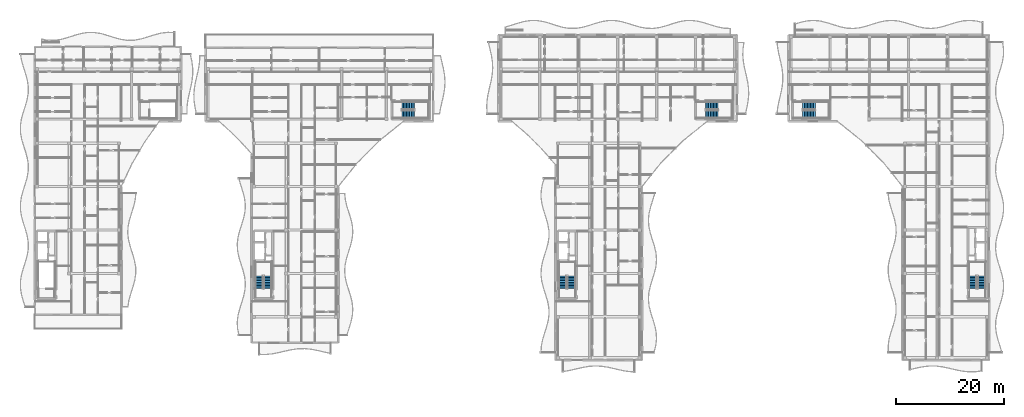
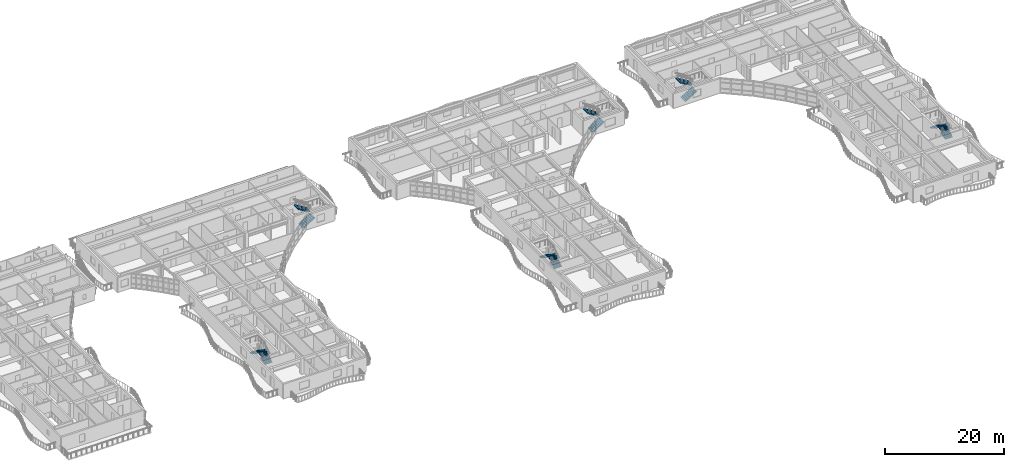
# One storey, part 46 of 68: 12 stair flights, 6 elements without a shape of their own.
"""IFC4 building model written with IfcOpenShell, lengths in metres."""

from ifc_helpers import new_model, si_unit, direction, frame, origin, place, context, subcontext, project, spatial, polyline, outline, extrude, material, type_object, element, aggregate, save


model = new_model("IFC4")

# Units and contexts
model_context = context("Model", 3, precision=1e-05, world=origin(), true_north=direction((0.0, 1.0)))
body_context = subcontext(model_context, "Body", "Model", "MODEL_VIEW")
ifc_project = project(units=[si_unit("LENGTHUNIT", "METRE"), si_unit("AREAUNIT", "SQUARE_METRE"), si_unit("VOLUMEUNIT", "CUBIC_METRE"), si_unit("PLANEANGLEUNIT", "RADIAN"), si_unit("MASSUNIT", "GRAM", prefix="KILO")], contexts=[model_context])

# Site, building, storey
site_placement = place(None, origin())
site = spatial("IfcSite", under=ifc_project, at=site_placement, CompositionType="ELEMENT")
building_placement = place(site_placement, origin())
building = spatial("IfcBuilding", under=site, at=building_placement, Name="Keldmere Railside Commons", CompositionType="ELEMENT")
storey_placement = place(building_placement, frame((0.0, 0.0, 23.360107421875)))
storey = spatial("IfcBuildingStorey", under=building, at=storey_placement, Name="L07", CompositionType="ELEMENT", Elevation=23.360107421875)

# Stair, stair flights
ifc_material = material(Name="Concrete H-30 (C30/37)", Category="concrete")
stair_type_1 = type_object("IfcStairType", Name="Basement Garage Dogleg Escape Stair 1450", PredefinedType="HALF_TURN_STAIR", material=ifc_material)
stair_1_placement = place(storey_placement, origin())
stair_1 = element("IfcStair", 1, at=stair_1_placement, inside=storey, type_object=stair_type_1, Name="L07 Block B Primary Escape Stair 1", PredefinedType="HALF_TURN_STAIR")
stair_flight_type_1 = type_object("IfcStairFlightType", Name="Basement Escape Stair Flight 1450", PredefinedType="STRAIGHT", material=ifc_material)
stair_flight_1_placement = place(storey_placement, frame((106.97509765625, 69.199951171875, 0.0), z_axis=(0.0, 0.0, 1.0), x_axis=(0.0, 1.0, 0.0)))
stair_flight_1 = element("IfcStairFlight", 2, at=stair_flight_1_placement, type_object=stair_flight_type_1, Name="ST-B1 flight 1", NumberOfRisers=9, NumberOfTreads=8, PredefinedType="STRAIGHT", RiserHeight=0.177777778, TreadLength=0.29, context=body_context, shape_type="SweptSolid", body=[
    extrude(outline(polyline([(0.0, 0.0), (0.0, 0.177734375), (0.2900390625, 0.177734375), (0.2900390625, 0.35546875), (0.580078125, 0.35546875), (0.580078125, 0.533447265625), (0.8701171875, 0.533447265625), (0.8701171875, 0.711181640625), (1.159912109375, 0.711181640625), (1.159912109375, 0.888916015625), (1.449951171875, 0.888916015625), (1.449951171875, 1.066650390625), (1.739990234375, 1.066650390625), (1.739990234375, 1.244384765625), (2.030029296875, 1.244384765625), (2.030029296875, 1.422119140625), (2.320068359375, 1.422119140625), (2.320068359375, 1.60009765625), (2.320068359375, 1.211181640625), (0.34423828125, 0.0), (0.0, 0.0)])), frame((0.0, 0.72509765625, 0.0), z_axis=(0.0, -1.0, 0.0), x_axis=(1.0, 0.0, 0.0)), (0.0, 0.0, 1.0), 1.449951171875),
])
stair_flight_2_placement = place(storey_placement, frame((105.375, 71.52001953125, 1.599853515625), z_axis=(0.0, 0.0, 1.0), x_axis=(0.0, -1.0, 0.0)))
stair_flight_2 = element("IfcStairFlight", 3, at=stair_flight_2_placement, type_object=stair_flight_type_1, Name="ST-B1 flight 2", NumberOfRisers=9, NumberOfTreads=8, PredefinedType="STRAIGHT", RiserHeight=0.177777778, TreadLength=0.29, context=body_context, shape_type="SweptSolid", body=[
    extrude(outline(polyline([(0.0, 0.0), (0.0, 0.177734375), (0.2900390625, 0.177734375), (0.2900390625, 0.35546875), (0.580078125, 0.35546875), (0.580078125, 0.533447265625), (0.8701171875, 0.533447265625), (0.8701171875, 0.711181640625), (1.159912109375, 0.711181640625), (1.159912109375, 0.888916015625), (1.449951171875, 0.888916015625), (1.449951171875, 1.066650390625), (1.739990234375, 1.066650390625), (1.739990234375, 1.244384765625), (2.030029296875, 1.244384765625), (2.030029296875, 1.422119140625), (2.320068359375, 1.422119140625), (2.320068359375, 1.60009765625), (2.320068359375, 1.211181640625), (0.34423828125, 0.0), (0.0, 0.0)])), frame((0.0, 0.72509765625, 0.0), z_axis=(0.0, -1.0, 0.0), x_axis=(1.0, 0.0, 0.0)), (0.0, 0.0, 1.0), 1.449951171875),
])
aggregate(stair_1, [stair_flight_1, stair_flight_2])

stair_2_placement = place(storey_placement, origin())
stair_2 = element("IfcStair", 4, at=stair_2_placement, inside=storey, type_object=stair_type_1, Name="L07 Block B Secondary Escape Stair 2", PredefinedType="HALF_TURN_STAIR")
stair_flight_3_placement = place(storey_placement, frame((131.699951171875, 101.324951171875, 0.0), z_axis=(0.0, 0.0, 1.0), x_axis=(1.0, 0.0, 0.0)))
stair_flight_3 = element("IfcStairFlight", 5, at=stair_flight_3_placement, type_object=stair_flight_type_1, Name="ST-B2 flight 1", NumberOfRisers=9, NumberOfTreads=8, PredefinedType="STRAIGHT", RiserHeight=0.177777778, TreadLength=0.29, context=body_context, shape_type="SweptSolid", body=[
    extrude(outline(polyline([(0.0, 0.0), (0.0, 0.177734375), (0.2900390625, 0.177734375), (0.2900390625, 0.35546875), (0.580078125, 0.35546875), (0.580078125, 0.533447265625), (0.8701171875, 0.533447265625), (0.8701171875, 0.711181640625), (1.159912109375, 0.711181640625), (1.159912109375, 0.888916015625), (1.449951171875, 0.888916015625), (1.449951171875, 1.066650390625), (1.739990234375, 1.066650390625), (1.739990234375, 1.244384765625), (2.030029296875, 1.244384765625), (2.030029296875, 1.422119140625), (2.320068359375, 1.422119140625), (2.320068359375, 1.60009765625), (2.320068359375, 1.211181640625), (0.34423828125, 0.0), (0.0, 0.0)])), frame((0.0, 0.72509765625, 0.0), z_axis=(0.0, -1.0, 0.0), x_axis=(1.0, 0.0, 0.0)), (0.0, 0.0, 1.0), 1.449951171875),
])
stair_flight_4_placement = place(storey_placement, frame((134.02001953125, 102.925048828125, 1.599853515625), z_axis=(0.0, 0.0, 1.0), x_axis=(-1.0, 0.0, 0.0)))
stair_flight_4 = element("IfcStairFlight", 6, at=stair_flight_4_placement, type_object=stair_flight_type_1, Name="ST-B2 flight 2", NumberOfRisers=9, NumberOfTreads=8, PredefinedType="STRAIGHT", RiserHeight=0.177777778, TreadLength=0.29, context=body_context, shape_type="SweptSolid", body=[
    extrude(outline(polyline([(0.0, 0.0), (0.0, 0.177734375), (0.2900390625, 0.177734375), (0.2900390625, 0.35546875), (0.580078125, 0.35546875), (0.580078125, 0.533447265625), (0.8701171875, 0.533447265625), (0.8701171875, 0.711181640625), (1.159912109375, 0.711181640625), (1.159912109375, 0.888916015625), (1.449951171875, 0.888916015625), (1.449951171875, 1.066650390625), (1.739990234375, 1.066650390625), (1.739990234375, 1.244384765625), (2.030029296875, 1.244384765625), (2.030029296875, 1.422119140625), (2.320068359375, 1.422119140625), (2.320068359375, 1.60009765625), (2.320068359375, 1.211181640625), (0.34423828125, 0.0), (0.0, 0.0)])), frame((0.0, 0.72509765625, 0.0), z_axis=(0.0, -1.0, 0.0), x_axis=(1.0, 0.0, 0.0)), (0.0, 0.0, 1.0), 1.449951171875),
])
aggregate(stair_2, [stair_flight_3, stair_flight_4])

stair_type_2 = type_object("IfcStairType", Name="Residential Core Dogleg Stair 1450", PredefinedType="HALF_TURN_STAIR", material=ifc_material)
stair_3_placement = place(storey_placement, origin())
stair_3 = element("IfcStair", 7, at=stair_3_placement, inside=storey, type_object=stair_type_2, Name="L07 Block C Primary Escape Stair 1", PredefinedType="HALF_TURN_STAIR")
stair_flight_type_2 = type_object("IfcStairFlightType", Name="Residential Core Stair Flight 1450", PredefinedType="STRAIGHT", material=ifc_material)
stair_flight_5_placement = place(storey_placement, frame((50.97509765625, 69.199951171875, 0.0), z_axis=(0.0, 0.0, 1.0), x_axis=(0.0, 1.0, 0.0)))
stair_flight_5 = element("IfcStairFlight", 8, at=stair_flight_5_placement, type_object=stair_flight_type_2, Name="ST-C1 flight 1", NumberOfRisers=9, NumberOfTreads=8, PredefinedType="STRAIGHT", RiserHeight=0.177777778, TreadLength=0.29, context=body_context, shape_type="SweptSolid", body=[
    extrude(outline(polyline([(0.0, 0.0), (0.0, 0.177734375), (0.2900390625, 0.177734375), (0.2900390625, 0.35546875), (0.580078125, 0.35546875), (0.580078125, 0.533447265625), (0.8701171875, 0.533447265625), (0.8701171875, 0.711181640625), (1.159912109375, 0.711181640625), (1.159912109375, 0.888916015625), (1.449951171875, 0.888916015625), (1.449951171875, 1.066650390625), (1.739990234375, 1.066650390625), (1.739990234375, 1.244384765625), (2.030029296875, 1.244384765625), (2.030029296875, 1.422119140625), (2.320068359375, 1.422119140625), (2.320068359375, 1.60009765625), (2.320068359375, 1.211181640625), (0.34423828125, 0.0), (0.0, 0.0)])), frame((0.0, 0.72509765625, 0.0), z_axis=(0.0, -1.0, 0.0), x_axis=(1.0, 0.0, 0.0)), (0.0, 0.0, 1.0), 1.449951171875),
])
stair_flight_6_placement = place(storey_placement, frame((49.375, 71.52001953125, 1.599853515625), z_axis=(0.0, 0.0, 1.0), x_axis=(0.0, -1.0, 0.0)))
stair_flight_6 = element("IfcStairFlight", 9, at=stair_flight_6_placement, type_object=stair_flight_type_2, Name="ST-C1 flight 2", NumberOfRisers=9, NumberOfTreads=8, PredefinedType="STRAIGHT", RiserHeight=0.177777778, TreadLength=0.29, context=body_context, shape_type="SweptSolid", body=[
    extrude(outline(polyline([(0.0, 0.0), (0.0, 0.177734375), (0.2900390625, 0.177734375), (0.2900390625, 0.35546875), (0.580078125, 0.35546875), (0.580078125, 0.533447265625), (0.8701171875, 0.533447265625), (0.8701171875, 0.711181640625), (1.159912109375, 0.711181640625), (1.159912109375, 0.888916015625), (1.449951171875, 0.888916015625), (1.449951171875, 1.066650390625), (1.739990234375, 1.066650390625), (1.739990234375, 1.244384765625), (2.030029296875, 1.244384765625), (2.030029296875, 1.422119140625), (2.320068359375, 1.422119140625), (2.320068359375, 1.60009765625), (2.320068359375, 1.211181640625), (0.34423828125, 0.0), (0.0, 0.0)])), frame((0.0, 0.72509765625, 0.0), z_axis=(0.0, -1.0, 0.0), x_axis=(1.0, 0.0, 0.0)), (0.0, 0.0, 1.0), 1.449951171875),
])
aggregate(stair_3, [stair_flight_5, stair_flight_6])

stair_4_placement = place(storey_placement, origin())
stair_4 = element("IfcStair", 10, at=stair_4_placement, inside=storey, type_object=stair_type_2, Name="L07 Block C Secondary Escape Stair 2", PredefinedType="HALF_TURN_STAIR")
stair_flight_7_placement = place(storey_placement, frame((75.699951171875, 101.324951171875, 0.0), z_axis=(0.0, 0.0, 1.0), x_axis=(1.0, 0.0, 0.0)))
stair_flight_7 = element("IfcStairFlight", 11, at=stair_flight_7_placement, type_object=stair_flight_type_2, Name="ST-C2 flight 1", NumberOfRisers=9, NumberOfTreads=8, PredefinedType="STRAIGHT", RiserHeight=0.177777778, TreadLength=0.29, context=body_context, shape_type="SweptSolid", body=[
    extrude(outline(polyline([(0.0, 0.0), (0.0, 0.177734375), (0.2900390625, 0.177734375), (0.2900390625, 0.35546875), (0.580078125, 0.35546875), (0.580078125, 0.533447265625), (0.8701171875, 0.533447265625), (0.8701171875, 0.711181640625), (1.159912109375, 0.711181640625), (1.159912109375, 0.888916015625), (1.449951171875, 0.888916015625), (1.449951171875, 1.066650390625), (1.739990234375, 1.066650390625), (1.739990234375, 1.244384765625), (2.030029296875, 1.244384765625), (2.030029296875, 1.422119140625), (2.320068359375, 1.422119140625), (2.320068359375, 1.60009765625), (2.320068359375, 1.211181640625), (0.34423828125, 0.0), (0.0, 0.0)])), frame((0.0, 0.72509765625, 0.0), z_axis=(0.0, -1.0, 0.0), x_axis=(1.0, 0.0, 0.0)), (0.0, 0.0, 1.0), 1.449951171875),
])
stair_flight_8_placement = place(storey_placement, frame((78.02001953125, 102.925048828125, 1.599853515625), z_axis=(0.0, 0.0, 1.0), x_axis=(-1.0, 0.0, 0.0)))
stair_flight_8 = element("IfcStairFlight", 12, at=stair_flight_8_placement, type_object=stair_flight_type_2, Name="ST-C2 flight 2", NumberOfRisers=9, NumberOfTreads=8, PredefinedType="STRAIGHT", RiserHeight=0.177777778, TreadLength=0.29, context=body_context, shape_type="SweptSolid", body=[
    extrude(outline(polyline([(0.0, 0.0), (0.0, 0.177734375), (0.2900390625, 0.177734375), (0.2900390625, 0.35546875), (0.580078125, 0.35546875), (0.580078125, 0.533447265625), (0.8701171875, 0.533447265625), (0.8701171875, 0.711181640625), (1.159912109375, 0.711181640625), (1.159912109375, 0.888916015625), (1.449951171875, 0.888916015625), (1.449951171875, 1.066650390625), (1.739990234375, 1.066650390625), (1.739990234375, 1.244384765625), (2.030029296875, 1.244384765625), (2.030029296875, 1.422119140625), (2.320068359375, 1.422119140625), (2.320068359375, 1.60009765625), (2.320068359375, 1.211181640625), (0.34423828125, 0.0), (0.0, 0.0)])), frame((0.0, 0.72509765625, 0.0), z_axis=(0.0, -1.0, 0.0), x_axis=(1.0, 0.0, 0.0)), (0.0, 0.0, 1.0), 1.449951171875),
])
aggregate(stair_4, [stair_flight_7, stair_flight_8])

stair_5_placement = place(storey_placement, origin())
stair_5 = element("IfcStair", 13, at=stair_5_placement, inside=storey, type_object=stair_type_2, Name="L07 Block A Primary Escape Stair 1", PredefinedType="HALF_TURN_STAIR")
stair_flight_9_placement = place(storey_placement, frame((182.574951171875, 69.199951171875, 0.0), z_axis=(0.0, 0.0, 1.0), x_axis=(0.0, 1.0, 0.0)))
stair_flight_9 = element("IfcStairFlight", 14, at=stair_flight_9_placement, type_object=stair_flight_type_2, Name="ST-A1 flight 1", NumberOfRisers=9, NumberOfTreads=8, PredefinedType="STRAIGHT", RiserHeight=0.177777778, TreadLength=0.29, context=body_context, shape_type="SweptSolid", body=[
    extrude(outline(polyline([(0.0, 0.0), (0.0, 0.177734375), (0.2900390625, 0.177734375), (0.2900390625, 0.35546875), (0.580078125, 0.35546875), (0.580078125, 0.533447265625), (0.8701171875, 0.533447265625), (0.8701171875, 0.711181640625), (1.159912109375, 0.711181640625), (1.159912109375, 0.888916015625), (1.449951171875, 0.888916015625), (1.449951171875, 1.066650390625), (1.739990234375, 1.066650390625), (1.739990234375, 1.244384765625), (2.030029296875, 1.244384765625), (2.030029296875, 1.422119140625), (2.320068359375, 1.422119140625), (2.320068359375, 1.60009765625), (2.320068359375, 1.211181640625), (0.34423828125, 0.0), (0.0, 0.0)])), frame((0.0, 0.72509765625, 0.0), z_axis=(0.0, -1.0, 0.0), x_axis=(1.0, 0.0, 0.0)), (0.0, 0.0, 1.0), 1.449951171875),
])
stair_flight_10_placement = place(storey_placement, frame((180.97509765625, 71.52001953125, 1.599853515625), z_axis=(0.0, 0.0, 1.0), x_axis=(0.0, -1.0, 0.0)))
stair_flight_10 = element("IfcStairFlight", 15, at=stair_flight_10_placement, type_object=stair_flight_type_2, Name="ST-A1 flight 2", NumberOfRisers=9, NumberOfTreads=8, PredefinedType="STRAIGHT", RiserHeight=0.177777778, TreadLength=0.29, context=body_context, shape_type="SweptSolid", body=[
    extrude(outline(polyline([(0.0, 0.0), (0.0, 0.177734375), (0.2900390625, 0.177734375), (0.2900390625, 0.35546875), (0.580078125, 0.35546875), (0.580078125, 0.533447265625), (0.8701171875, 0.533447265625), (0.8701171875, 0.711181640625), (1.159912109375, 0.711181640625), (1.159912109375, 0.888916015625), (1.449951171875, 0.888916015625), (1.449951171875, 1.066650390625), (1.739990234375, 1.066650390625), (1.739990234375, 1.244384765625), (2.030029296875, 1.244384765625), (2.030029296875, 1.422119140625), (2.320068359375, 1.422119140625), (2.320068359375, 1.60009765625), (2.320068359375, 1.211181640625), (0.34423828125, 0.0), (0.0, 0.0)])), frame((0.0, 0.72509765625, 0.0), z_axis=(0.0, -1.0, 0.0), x_axis=(1.0, 0.0, 0.0)), (0.0, 0.0, 1.0), 1.449951171875),
])
aggregate(stair_5, [stair_flight_9, stair_flight_10])

stair_6_placement = place(storey_placement, origin())
stair_6 = element("IfcStair", 16, at=stair_6_placement, inside=storey, type_object=stair_type_2, Name="L07 Block A Secondary Escape Stair 2", PredefinedType="HALF_TURN_STAIR")
stair_flight_11_placement = place(storey_placement, frame((149.60009765625, 101.324951171875, 0.0), z_axis=(0.0, 0.0, 1.0), x_axis=(1.0, 0.0, 0.0)))
stair_flight_11 = element("IfcStairFlight", 17, at=stair_flight_11_placement, type_object=stair_flight_type_2, Name="ST-A2 flight 1", NumberOfRisers=9, NumberOfTreads=8, PredefinedType="STRAIGHT", RiserHeight=0.177777778, TreadLength=0.29, context=body_context, shape_type="SweptSolid", body=[
    extrude(outline(polyline([(0.0, 0.0), (0.0, 0.177734375), (0.2900390625, 0.177734375), (0.2900390625, 0.35546875), (0.580078125, 0.35546875), (0.580078125, 0.533447265625), (0.8701171875, 0.533447265625), (0.8701171875, 0.711181640625), (1.159912109375, 0.711181640625), (1.159912109375, 0.888916015625), (1.449951171875, 0.888916015625), (1.449951171875, 1.066650390625), (1.739990234375, 1.066650390625), (1.739990234375, 1.244384765625), (2.030029296875, 1.244384765625), (2.030029296875, 1.422119140625), (2.320068359375, 1.422119140625), (2.320068359375, 1.60009765625), (2.320068359375, 1.211181640625), (0.34423828125, 0.0), (0.0, 0.0)])), frame((0.0, 0.72509765625, 0.0), z_axis=(0.0, -1.0, 0.0), x_axis=(1.0, 0.0, 0.0)), (0.0, 0.0, 1.0), 1.449951171875),
])
stair_flight_12_placement = place(storey_placement, frame((151.919921875, 102.925048828125, 1.599853515625), z_axis=(0.0, 0.0, 1.0), x_axis=(-1.0, 0.0, 0.0)))
stair_flight_12 = element("IfcStairFlight", 18, at=stair_flight_12_placement, type_object=stair_flight_type_2, Name="ST-A2 flight 2", NumberOfRisers=9, NumberOfTreads=8, PredefinedType="STRAIGHT", RiserHeight=0.177777778, TreadLength=0.29, context=body_context, shape_type="SweptSolid", body=[
    extrude(outline(polyline([(0.0, 0.0), (0.0, 0.177734375), (0.2900390625, 0.177734375), (0.2900390625, 0.35546875), (0.580078125, 0.35546875), (0.580078125, 0.533447265625), (0.8701171875, 0.533447265625), (0.8701171875, 0.711181640625), (1.159912109375, 0.711181640625), (1.159912109375, 0.888916015625), (1.449951171875, 0.888916015625), (1.449951171875, 1.066650390625), (1.739990234375, 1.066650390625), (1.739990234375, 1.244384765625), (2.030029296875, 1.244384765625), (2.030029296875, 1.422119140625), (2.320068359375, 1.422119140625), (2.320068359375, 1.60009765625), (2.320068359375, 1.211181640625), (0.34423828125, 0.0), (0.0, 0.0)])), frame((0.0, 0.72509765625, 0.0), z_axis=(0.0, -1.0, 0.0), x_axis=(1.0, 0.0, 0.0)), (0.0, 0.0, 1.0), 1.449951171875),
])
aggregate(stair_6, [stair_flight_11, stair_flight_12])

save(model, "model.ifc")
